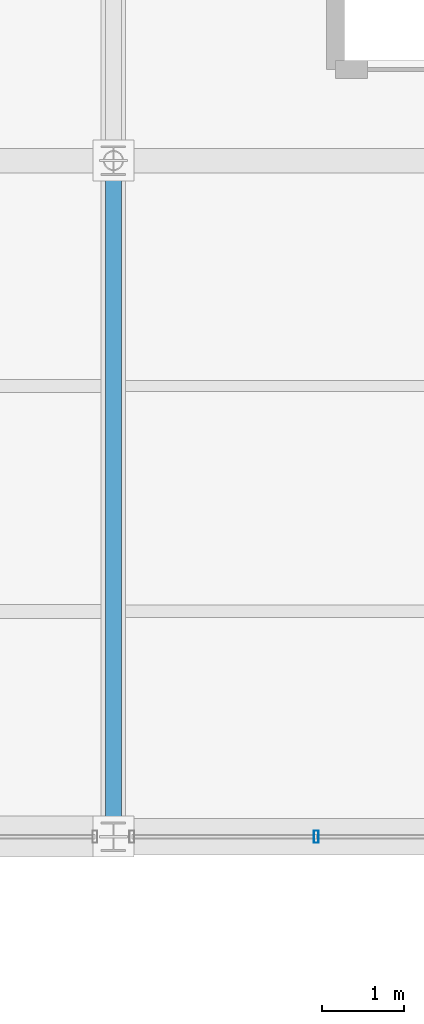
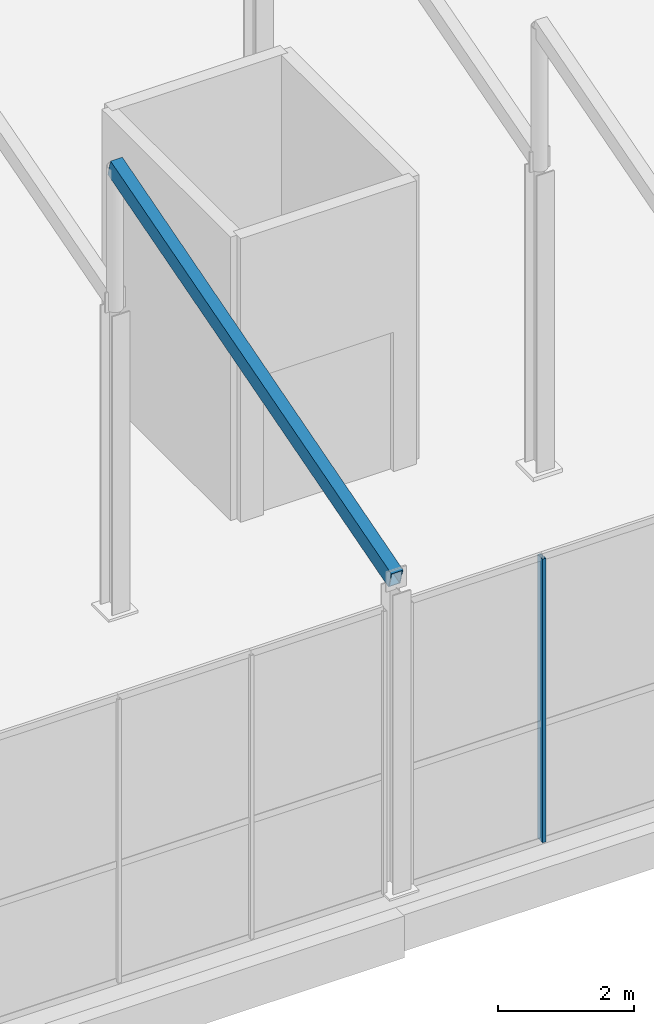
# One storey, part 20 of 141: 2 members, 1 element without a shape of its own.
"""IFC4 building model written with IfcOpenShell, lengths in metres."""

from ifc_helpers import new_model, si_unit, direction, frame, origin, origin_2d, place, context, subcontext, project, spatial, hollow_rectangle, extrude, material, layer, layer_set, material_profile, profile_set, type_object, element, aggregate, save


model = new_model("IFC4")

# Units and contexts
model_context = context("Model", 3, precision=1e-05, world=origin(), true_north=direction((0.0, 1.0)))
body_context = subcontext(model_context, "Body", "Model", "MODEL_VIEW")
ifc_project = project(units=[si_unit("LENGTHUNIT", "METRE"), si_unit("AREAUNIT", "SQUARE_METRE"), si_unit("VOLUMEUNIT", "CUBIC_METRE"), si_unit("PLANEANGLEUNIT", "RADIAN"), si_unit("MASSUNIT", "GRAM", prefix="KILO")], contexts=[model_context])

# Site, building, storey
site_placement = place(None, origin())
site = spatial("IfcSite", under=ifc_project, at=site_placement, CompositionType="ELEMENT")
building_placement = place(site_placement, origin())
building = spatial("IfcBuilding", under=site, at=building_placement, Name="Sundgate Opera House", CompositionType="ELEMENT")
storey_placement = place(building_placement, frame((0.0, 0.0, 11.39990234375)))
storey = spatial("IfcBuildingStorey", under=building, at=storey_placement, Name="L02", CompositionType="ELEMENT", Elevation=11.39990234375)

# Curtain wall, member
ifc_material_1 = material(Name="Anodized aluminium and low-iron glass", Category="aluminium")
ifc_layer = layer(ifc_material_1, 0.14990234375)
ifc_layer_set = layer_set([ifc_layer], Name="Anodized aluminium and low-iron glass")
curtain_wall_type = type_object("IfcCurtainWallType", Name="CW-WORKSHOP-DARK", PredefinedType="NOTDEFINED", material=ifc_layer_set)
curtain_wall_placement = place(storey_placement, origin())
curtain_wall = element("IfcCurtainWall", 1, at=curtain_wall_placement, inside=storey, type_object=curtain_wall_type, Name="L02 Curtain Wall CW155", PredefinedType="NOTDEFINED")
ifc_material_2 = material(Name="Anodized aluminium EN AW-6063", Category="aluminium")
ifc_material_profile_1 = material_profile(ifc_material_2, hollow_rectangle(XDim=0.06005859375, YDim=0.14990234375, WallThickness=0.00390625, at=origin_2d()), Name="CWM 150x60x4")
ifc_profile_set_1 = profile_set([ifc_material_profile_1], Name="Anodized aluminium EN AW-6063")
member_type_1 = type_object("IfcMemberType", Name="CWM-ALU-150x60", PredefinedType="MULLION", material=ifc_profile_set_1)
member_1_placement = place(storey_placement, frame((105.074951171875, 8.25, 0.0), z_axis=(0.0, 0.0, 1.0), x_axis=(1.0, 0.0, 0.0)))
member_1 = element("IfcMember", 2, at=member_1_placement, type_object=member_type_1, Name="CW155 Mullion 3", PredefinedType="MULLION", context=body_context, shape_type="SweptSolid", body=[
    extrude(hollow_rectangle(XDim=0.06005859375, YDim=0.14990234375, WallThickness=0.00390625, at=origin_2d()), origin(), (0.0, 0.0, 1.0), 5.085205078125),
])
aggregate(curtain_wall, [member_1])

# Member
ifc_material_3 = material(Name="Steel S355J2", Category="steel")
ifc_material_profile_2 = material_profile(ifc_material_3, hollow_rectangle(XDim=0.199951171875, YDim=0.300048828125, WallThickness=0.012451171875, at=origin_2d()), Name="RHS 300x200x12.5")
ifc_profile_set_2 = profile_set([ifc_material_profile_2], Name="Steel S355J2")
member_type_2 = type_object("IfcMemberType", Name="MB-CHORD-RHS300", PredefinedType="CHORD", material=ifc_profile_set_2)
member_2_placement = place(storey_placement, frame((102.60009765625, 8.25, 5.550048828125), z_axis=(0.0, 0.96019072379, 0.279345259398), x_axis=(-1.0, 0.0, 0.0)))
element("IfcMember", 3, at=member_2_placement, inside=storey, type_object=member_type_2, Name="L02 Sawtooth Rafter M0383", PredefinedType="CHORD", context=body_context, shape_type="SweptSolid", body=[
    extrude(hollow_rectangle(XDim=0.199951171875, YDim=0.300048828125, WallThickness=0.012451171875, at=origin_2d()), origin(), (0.0, 0.0, 1.0), 8.592041015625),
])

save(model, "model.ifc")
